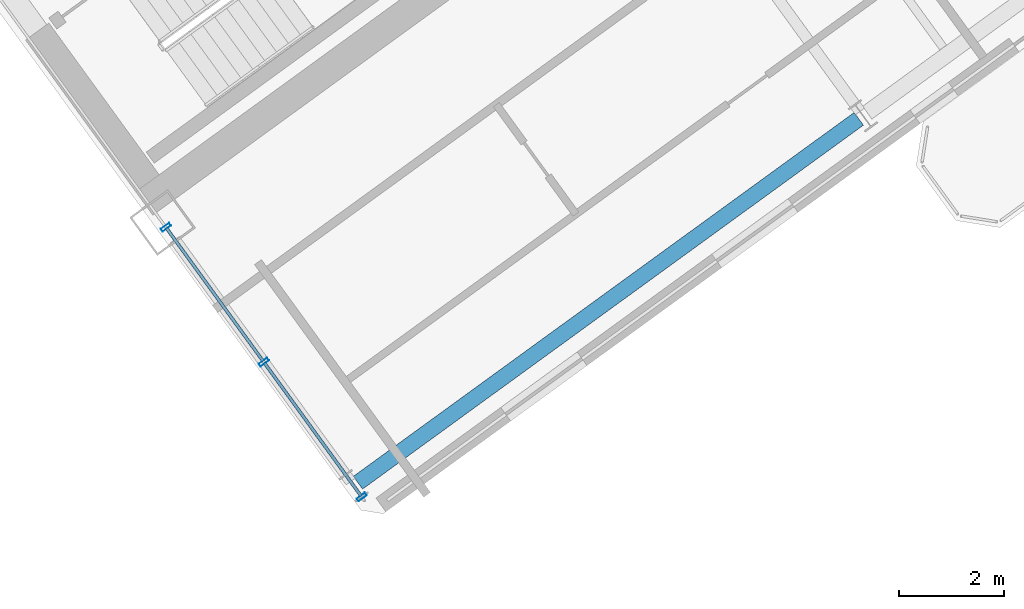
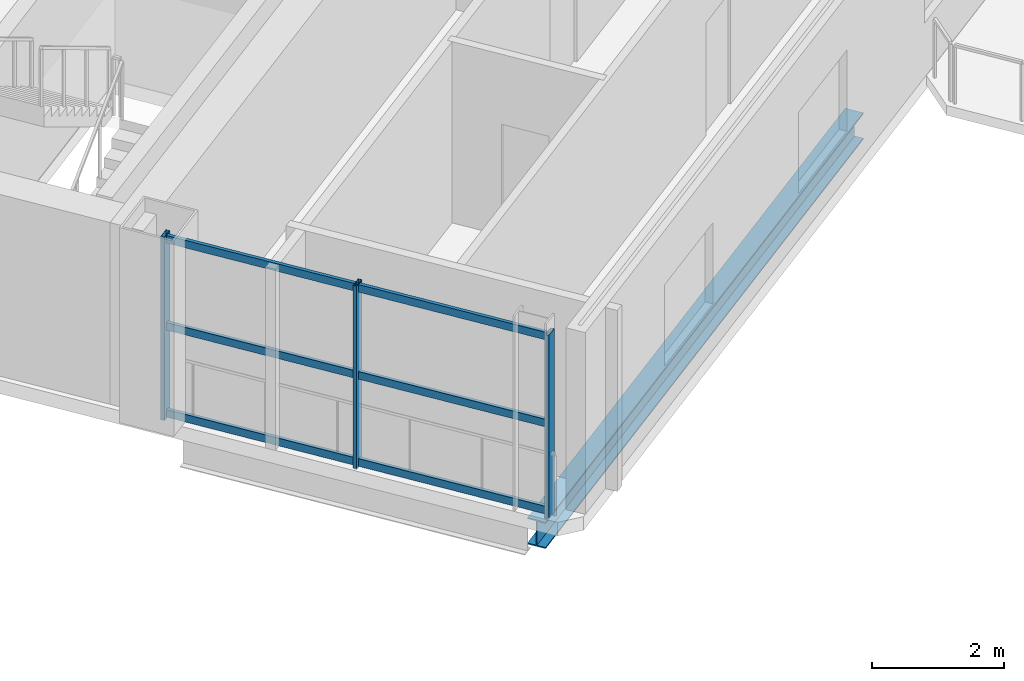
# One storey, part 8 of 19: 9 members, 1 beam, 1 element without a shape of its own.
"""IFC4 building model written with IfcOpenShell, lengths in metres."""

from ifc_helpers import new_model, si_unit, direction, frame, origin, origin_2d, place, context, subcontext, project, spatial, hollow_rectangle, i_section, extrude, source, transform, mapped, material, material_profile, profile_set, type_object, element, aggregate, save


model = new_model("IFC4")

# Units and contexts
model_context = context("Model", 3, precision=1e-05, world=origin(), true_north=direction((0.0, 1.0)))
body_context = subcontext(model_context, "Body", "Model", "MODEL_VIEW")
ifc_project = project(units=[si_unit("LENGTHUNIT", "METRE"), si_unit("AREAUNIT", "SQUARE_METRE"), si_unit("VOLUMEUNIT", "CUBIC_METRE"), si_unit("PLANEANGLEUNIT", "RADIAN"), si_unit("MASSUNIT", "GRAM", prefix="KILO")], contexts=[model_context])

# Site, building, storey
site_placement = place(None, origin())
site = spatial("IfcSite", under=ifc_project, at=site_placement, CompositionType="ELEMENT")
building_placement = place(site_placement, origin())
building = spatial("IfcBuilding", under=site, at=building_placement, Name="Tlacorven Tower", CompositionType="ELEMENT")
storey_placement = place(building_placement, frame((0.0, 0.0, 144.300048828125)))
storey = spatial("IfcBuildingStorey", under=building, at=storey_placement, Name="L36", CompositionType="ELEMENT", Elevation=144.300048828125)

# Beam
ifc_material_1 = material(Name="Steel S355J2", Category="steel")
ifc_material_profile_1 = material_profile(ifc_material_1, i_section(OverallWidth=0.300048828125, OverallDepth=0.489990234375, WebThickness=0.011962890625, FlangeThickness=0.02294921875, at=origin_2d()), Name="HEA 500")
ifc_profile_set_1 = profile_set([ifc_material_profile_1], Name="Steel S355J2")
beam_type = type_object("IfcBeamType", Name="BM-SPN-500", PredefinedType="SPANDREL", material=ifc_profile_set_1)
shared_shape_1 = source(origin(), body_context, "Body", "SweptSolid", [
    extrude(i_section(OverallWidth=0.300048828125, OverallDepth=0.489990234375, WebThickness=0.011962890625, FlangeThickness=0.02294921875, at=origin_2d()), origin(), (0.0, 0.0, 1.0), 11.800048828125),
])
beam_placement = place(storey_placement, frame((56.4306640625, 7.816162109375, -0.4951171875), z_axis=(0.80900977213, 0.587795192732, 0.0), x_axis=(-0.587795192732, 0.80900977213, 0.0)))
element("IfcBeam", 1, at=beam_placement, inside=storey, type_object=beam_type, Name="L36 beam BM-L36-EL1-1", PredefinedType="SPANDREL", context=body_context, shape_type="MappedRepresentation", body=[
    mapped(shared_shape_1, transform((0.0, 0.0, 0.0), scale=1.0)),
])

# Curtain wall, members
ifc_material_2 = material(Name="Dark solar low-E double glazing in aluminium frame", Category="aluminium")
curtain_wall_type = type_object("IfcCurtainWallType", Name="CW-TWR-MID", PredefinedType="USERDEFINED", material=ifc_material_2)
curtain_wall_placement = place(storey_placement, origin())
curtain_wall = element("IfcCurtainWall", 2, at=curtain_wall_placement, inside=storey, type_object=curtain_wall_type, Name="L36 CW-TWR-MID Curtain Wall 164", ObjectType="UNITISED CURTAIN WALL", PredefinedType="USERDEFINED")
ifc_material_3 = material(Name="Aluminium 6063-T6 anodised", Category="aluminium")
ifc_material_profile_2 = material_profile(ifc_material_3, hollow_rectangle(XDim=0.06494140625, YDim=0.199951171875, WallThickness=0.00439453125, at=origin_2d()), Name="ALU MULLION 65X200")
ifc_profile_set_2 = profile_set([ifc_material_profile_2], Name="Aluminium 6063-T6 anodised")
member_type_1 = type_object("IfcMemberType", Name="CWM-02", PredefinedType="MULLION", material=ifc_profile_set_2)
shared_shape_2 = source(origin(), body_context, "Body", "SweptSolid", [
    extrude(hollow_rectangle(XDim=0.06494140625, YDim=0.199951171875, WallThickness=0.00439453125, at=origin_2d()), origin(), (0.0, 0.0, 1.0), 3.3798828125),
])
member_1_placement = place(storey_placement, frame((56.503173828125, 7.546142578125, -0.02001953125), z_axis=(0.0, 0.0, 1.0), x_axis=(-0.587785363163, 0.809016913823, 0.0)))
member_1 = element("IfcMember", 3, at=member_1_placement, type_object=member_type_1, Name="CW-L36-164 Mullion 1", PredefinedType="MULLION", context=body_context, shape_type="MappedRepresentation", body=[
    mapped(shared_shape_2, transform((0.0, 0.0, 0.0), scale=1.0)),
])
member_2_placement = place(storey_placement, frame((54.635986328125, 10.1162109375, -0.02001953125), z_axis=(0.0, 0.0, 1.0), x_axis=(-0.587785363163, 0.809016913823, 0.0)))
member_2 = element("IfcMember", 4, at=member_2_placement, type_object=member_type_1, Name="CW-L36-164 Mullion 2", PredefinedType="MULLION", context=body_context, shape_type="MappedRepresentation", body=[
    mapped(shared_shape_2, transform((0.0, 0.0, 0.0), scale=1.0)),
])
member_3_placement = place(storey_placement, frame((52.7685546875, 12.6865234375, -0.02001953125), z_axis=(0.0, 0.0, 1.0), x_axis=(-0.587785363163, 0.809016913823, 0.0)))
member_3 = element("IfcMember", 5, at=member_3_placement, type_object=member_type_1, Name="CW-L36-164 Mullion 3", PredefinedType="MULLION", context=body_context, shape_type="MappedRepresentation", body=[
    mapped(shared_shape_2, transform((0.0, 0.0, 0.0), scale=1.0)),
])
ifc_material_profile_3 = material_profile(ifc_material_3, hollow_rectangle(XDim=0.06005859375, YDim=0.139892578125, WallThickness=0.00390625, at=origin_2d()), Name="ALU TRANSOM 60X140")
ifc_profile_set_3 = profile_set([ifc_material_profile_3], Name="Aluminium 6063-T6 anodised")
member_type_2 = type_object("IfcMemberType", Name="CWT-02", PredefinedType="USERDEFINED", material=ifc_profile_set_3)
shared_shape_3 = source(origin(), body_context, "Body", "SweptSolid", [
    extrude(hollow_rectangle(XDim=0.06005859375, YDim=0.139892578125, WallThickness=0.00390625, at=origin_2d()), origin(), (0.0, 0.0, 1.0), 3.1357421875),
])
member_4_placement = place(storey_placement, frame((56.4912109375, 7.562744140625, 0.070068359375), z_axis=(-0.587810556927, 0.808998608877, 0.0), x_axis=(-0.808998608877, -0.587810556927, 0.0)))
member_4 = element("IfcMember", 6, at=member_4_placement, type_object=member_type_2, Name="CW-L36-164 Transom 1", ObjectType="TRANSOM", PredefinedType="USERDEFINED", context=body_context, shape_type="MappedRepresentation", body=[
    mapped(shared_shape_3, transform((0.0, 0.0, 0.0), scale=1.0)),
])
member_5_placement = place(storey_placement, frame((56.4912109375, 7.562744140625, 1.675048828125), z_axis=(-0.587810556927, 0.808998608877, 0.0), x_axis=(-0.808998608877, -0.587810556927, 0.0)))
member_5 = element("IfcMember", 7, at=member_5_placement, type_object=member_type_2, Name="CW-L36-164 Transom 2", ObjectType="TRANSOM", PredefinedType="USERDEFINED", context=body_context, shape_type="MappedRepresentation", body=[
    mapped(shared_shape_3, transform((0.0, 0.0, 0.0), scale=1.0)),
])
member_6_placement = place(storey_placement, frame((56.4912109375, 7.562744140625, 3.280029296875), z_axis=(-0.587810556927, 0.808998608877, 0.0), x_axis=(-0.808998608877, -0.587810556927, 0.0)))
member_6 = element("IfcMember", 8, at=member_6_placement, type_object=member_type_2, Name="CW-L36-164 Transom 3", ObjectType="TRANSOM", PredefinedType="USERDEFINED", context=body_context, shape_type="MappedRepresentation", body=[
    mapped(shared_shape_3, transform((0.0, 0.0, 0.0), scale=1.0)),
])
member_7_placement = place(storey_placement, frame((54.623779296875, 10.1328125, 0.070068359375), z_axis=(-0.587722576724, 0.809062527132, 0.0), x_axis=(-0.809062527132, -0.587722576724, 0.0)))
member_7 = element("IfcMember", 9, at=member_7_placement, type_object=member_type_2, Name="CW-L36-164 Transom 4", ObjectType="TRANSOM", PredefinedType="USERDEFINED", context=body_context, shape_type="MappedRepresentation", body=[
    mapped(shared_shape_3, transform((0.0, 0.0, 0.0), scale=1.0)),
])
member_8_placement = place(storey_placement, frame((54.623779296875, 10.1328125, 1.675048828125), z_axis=(-0.587722576724, 0.809062527132, 0.0), x_axis=(-0.809062527132, -0.587722576724, 0.0)))
member_8 = element("IfcMember", 10, at=member_8_placement, type_object=member_type_2, Name="CW-L36-164 Transom 5", ObjectType="TRANSOM", PredefinedType="USERDEFINED", context=body_context, shape_type="MappedRepresentation", body=[
    mapped(shared_shape_3, transform((0.0, 0.0, 0.0), scale=1.0)),
])
member_9_placement = place(storey_placement, frame((54.623779296875, 10.1328125, 3.280029296875), z_axis=(-0.587722576724, 0.809062527132, 0.0), x_axis=(-0.809062527132, -0.587722576724, 0.0)))
member_9 = element("IfcMember", 11, at=member_9_placement, type_object=member_type_2, Name="CW-L36-164 Transom 6", ObjectType="TRANSOM", PredefinedType="USERDEFINED", context=body_context, shape_type="MappedRepresentation", body=[
    mapped(shared_shape_3, transform((0.0, 0.0, 0.0), scale=1.0)),
])
aggregate(curtain_wall, [member_1, member_2, member_3, member_4, member_5, member_6, member_7, member_8, member_9])

save(model, "model.ifc")
